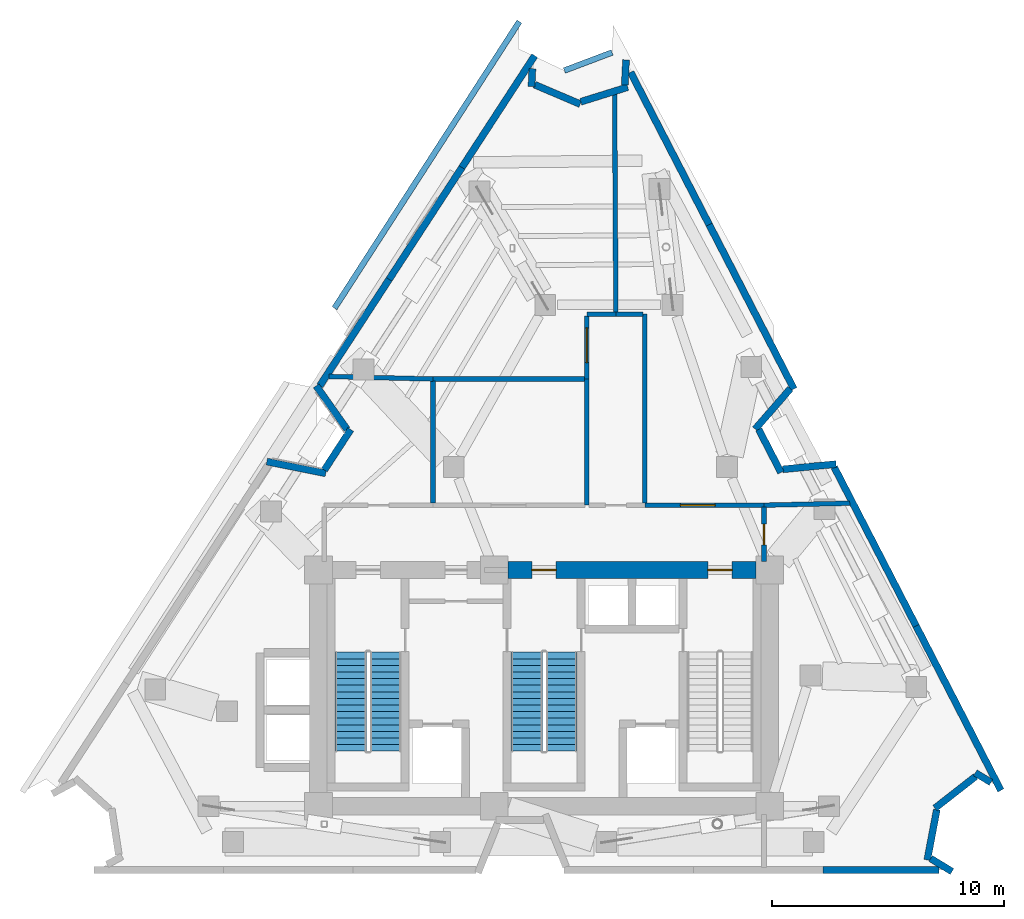
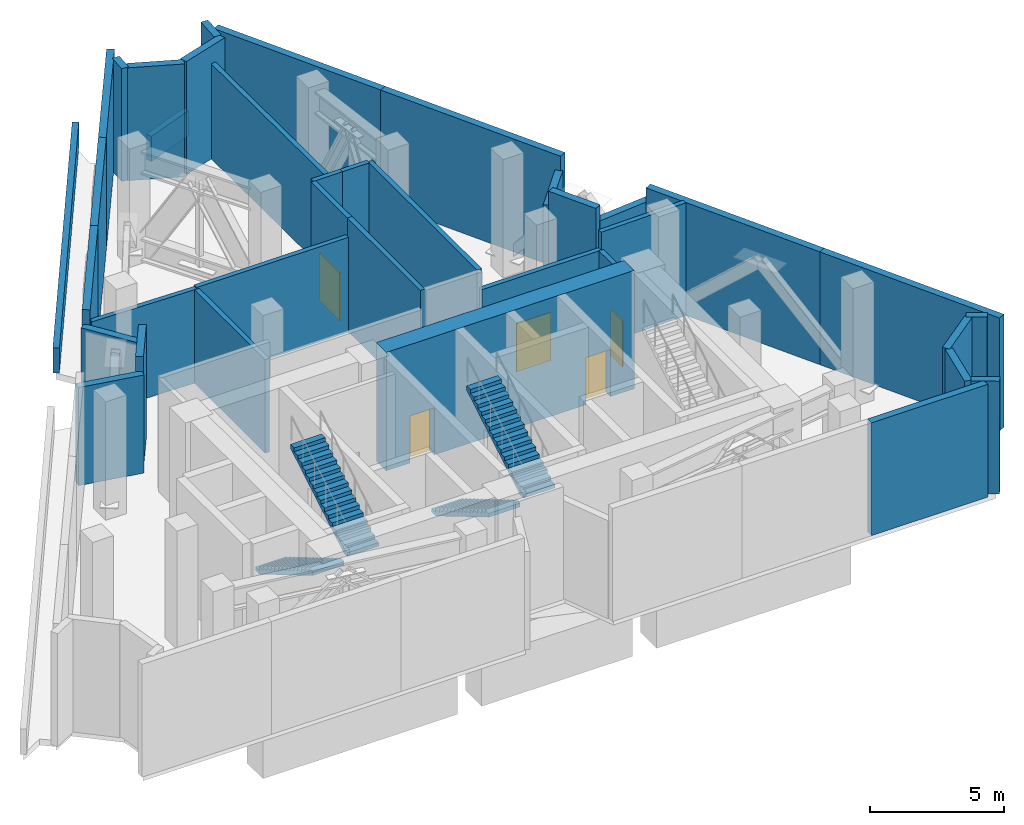
# One storey, part 6 of 8: 37 walls, 5 doors, 4 stair flights, 5 openings, 2 elements without a shape of their own.
"""IFC4 building model written with IfcOpenShell, lengths in metres."""

from ifc_helpers import new_model, si_unit, direction, frame, frame_2d, origin, place, context, subcontext, project, spatial, polyline, rectangle, outline, extrude, material, layer, layer_set, type_object, element, fill, aggregate, save


model = new_model("IFC4")

# Units and contexts
model_context = context("Model", 3, precision=1e-05, world=origin(), true_north=direction((0.0, 1.0)))
body_context = subcontext(model_context, "Body", "Model", "MODEL_VIEW")
ifc_project = project(units=[si_unit("LENGTHUNIT", "METRE"), si_unit("AREAUNIT", "SQUARE_METRE"), si_unit("VOLUMEUNIT", "CUBIC_METRE"), si_unit("PLANEANGLEUNIT", "RADIAN"), si_unit("MASSUNIT", "GRAM", prefix="KILO")], contexts=[model_context])

# Site, building, storey
site_placement = place(None, origin())
site = spatial("IfcSite", under=ifc_project, at=site_placement, CompositionType="ELEMENT")
building_placement = place(site_placement, origin())
building = spatial("IfcBuilding", under=site, at=building_placement, Name="Almagre Mirador Tower", CompositionType="ELEMENT")
storey_placement = place(building_placement, frame((0.0, 0.0, 201.60009765625)))
storey = spatial("IfcBuildingStorey", under=building, at=storey_placement, Name="L52", CompositionType="ELEMENT", Elevation=201.60009765625)

# Walls
ifc_material_1 = material(Name="Precast concrete C50/60", Category="concrete")
ifc_layer_1 = layer(ifc_material_1, 0.300048828125)
ifc_layer_set_1 = layer_set([ifc_layer_1], Name="Precast concrete C50/60")
wall_type_1 = type_object("IfcWallType", Name="WAL-EXT-300", PredefinedType="SOLIDWALL", material=ifc_layer_set_1)
wall_1_placement = place(storey_placement, frame((25.32568359375, 19.435546875, 0.0), z_axis=(0.0, 0.0, 1.0), x_axis=(0.98031922936, -0.197418865732, 0.0)))
element("IfcWall", 1, at=wall_1_placement, inside=storey, type_object=wall_type_1, Name="L52 expressed almagre precast frame wall 01", PredefinedType="SOLIDWALL", context=body_context, shape_type="SweptSolid", body=[
    extrude(rectangle(XDim=2.594482421875, YDim=0.300048828125, at=frame_2d((1.29736328125, 0.0))), origin(), (0.0, 0.0, 1.0), 4.474853515625),
])
wall_2_placement = place(storey_placement, frame((27.808349609375, 19.068359375, 0.0), z_axis=(0.0, 0.0, 1.0), x_axis=(0.545448072155, 0.838144617941, 0.0)))
element("IfcWall", 2, at=wall_2_placement, inside=storey, type_object=wall_type_1, Name="L52 expressed almagre precast frame wall 02", PredefinedType="SOLIDWALL", context=body_context, shape_type="SweptSolid", body=[
    extrude(rectangle(XDim=2.09033203125, YDim=0.300048828125, at=frame_2d((1.045166015625, 0.0))), origin(), (0.0, 0.0, 1.0), 5.14990234375),
])
wall_3_placement = place(storey_placement, frame((28.791259765625, 20.8173828125, 0.0), z_axis=(0.0, 0.0, 1.0), x_axis=(-0.577147231884, 0.816640112123, 0.0)))
element("IfcWall", 3, at=wall_3_placement, inside=storey, type_object=wall_type_1, Name="L52 expressed almagre precast frame wall 03", PredefinedType="SOLIDWALL", context=body_context, shape_type="SweptSolid", body=[
    extrude(rectangle(XDim=2.31298828125, YDim=0.300048828125, at=frame_2d((1.156494140625, 0.0))), origin(), (0.0, 0.0, 1.0), 4.474853515625),
])
wall_4_placement = place(storey_placement, frame((27.610595703125, 22.705078125, 0.0), z_axis=(0.0, 0.0, 1.0), x_axis=(0.545593263522, 0.838050112344, 0.0)))
element("IfcWall", 4, at=wall_4_placement, inside=storey, type_object=wall_type_1, Name="L52 expressed almagre precast frame wall 04", PredefinedType="SOLIDWALL", context=body_context, shape_type="SweptSolid", body=[
    extrude(rectangle(XDim=5.48876953125, YDim=0.300048828125, at=frame_2d((2.744384765625, 0.0))), origin(), (0.0, 0.0, 1.0), 5.14990234375),
])
wall_5_placement = place(storey_placement, frame((30.605224609375, 27.304931640625, 0.0), z_axis=(0.0, 0.0, 1.0), x_axis=(0.545595688913, 0.838048533343, 0.0)))
element("IfcWall", 5, at=wall_5_placement, inside=storey, type_object=wall_type_1, Name="L52 expressed almagre precast frame wall 05", PredefinedType="SOLIDWALL", context=body_context, shape_type="SweptSolid", body=[
    extrude(rectangle(XDim=5.763427734375, YDim=0.300048828125, at=frame_2d((2.8818359375, 0.0))), origin(), (0.0, 0.0, 1.0), 5.14990234375),
])
wall_6_placement = place(storey_placement, frame((33.749755859375, 32.135009765625, 0.0), z_axis=(0.0, 0.0, 1.0), x_axis=(0.545576320992, 0.838061142145, 0.0)))
element("IfcWall", 6, at=wall_6_placement, inside=storey, type_object=wall_type_1, Name="L52 expressed almagre precast frame wall 06", PredefinedType="SOLIDWALL", context=body_context, shape_type="SweptSolid", body=[
    extrude(rectangle(XDim=5.763671875, YDim=0.300048828125, at=frame_2d((2.8818359375, 0.0))), origin(), (0.0, 0.0, 1.0), 5.14990234375),
])
wall_7_placement = place(storey_placement, frame((36.79541015625, 36.403564453125, 0.0), z_axis=(0.0, 0.0, 1.0), x_axis=(-0.051005402626, -0.998698377341, 0.0)))
element("IfcWall", 7, at=wall_7_placement, inside=storey, type_object=wall_type_1, Name="L52 expressed almagre precast frame wall 07", PredefinedType="SOLIDWALL", context=body_context, shape_type="SweptSolid", body=[
    extrude(rectangle(XDim=0.775390625, YDim=0.300048828125, at=frame_2d((0.3876953125, 0.0))), origin(), (0.0, 0.0, 1.0), 5.14990234375),
])
wall_8_placement = place(storey_placement, frame((36.88720703125, 35.7158203125, 0.0), z_axis=(0.0, 0.0, 1.0), x_axis=(0.919567916171, -0.392931097711, 0.0)))
element("IfcWall", 8, at=wall_8_placement, inside=storey, type_object=wall_type_1, Name="L52 expressed almagre precast frame wall 08", PredefinedType="SOLIDWALL", context=body_context, shape_type="SweptSolid", body=[
    extrude(rectangle(XDim=2.147216796875, YDim=0.300048828125, at=frame_2d((1.07373046875, 0.0))), origin(), (0.0, 0.0, 1.0), 5.14990234375),
])
wall_9_placement = place(storey_placement, frame((38.8857421875, 34.974609375, 0.0), z_axis=(0.0, 0.0, 1.0), x_axis=(0.954524975295, 0.298130963736, 0.0)))
element("IfcWall", 9, at=wall_9_placement, inside=storey, type_object=wall_type_1, Name="L52 expressed almagre precast frame wall 09", PredefinedType="SOLIDWALL", context=body_context, shape_type="SweptSolid", body=[
    extrude(rectangle(XDim=2.12353515625, YDim=0.300048828125, at=frame_2d((1.061767578125, 0.0))), origin(), (0.0, 0.0, 1.0), 5.14990234375),
])
wall_10_placement = place(storey_placement, frame((40.78564453125, 35.700927734375, 0.0), z_axis=(0.0, 0.0, 1.0), x_axis=(0.05016199642, 0.998741094636, 0.0)))
element("IfcWall", 10, at=wall_10_placement, inside=storey, type_object=wall_type_1, Name="L52 expressed almagre precast frame wall 10", PredefinedType="SOLIDWALL", context=body_context, shape_type="SweptSolid", body=[
    extrude(rectangle(XDim=1.08544921875, YDim=0.300048828125, at=frame_2d((0.542724609375, 0.0))), origin(), (0.0, 0.0, 1.0), 5.14990234375),
])
wall_11_placement = place(storey_placement, frame((41.036865234375, 36.24951171875, 0.0), z_axis=(0.0, 0.0, 1.0), x_axis=(0.458281808999, -0.888806943909, 0.0)))
element("IfcWall", 11, at=wall_11_placement, inside=storey, type_object=wall_type_1, Name="L52 expressed almagre precast frame wall 11", PredefinedType="SOLIDWALL", context=body_context, shape_type="SweptSolid", body=[
    extrude(rectangle(XDim=7.406005859375, YDim=0.300048828125, at=frame_2d((3.703125, 0.0))), origin(), (0.0, 0.0, 1.0), 5.14990234375),
])
wall_12_placement = place(storey_placement, frame((44.430908203125, 29.6669921875, 0.0), z_axis=(0.0, 0.0, 1.0), x_axis=(0.45831213698, -0.888791305705, 0.0)))
element("IfcWall", 12, at=wall_12_placement, inside=storey, type_object=wall_type_1, Name="L52 expressed almagre precast frame wall 12", PredefinedType="SOLIDWALL", context=body_context, shape_type="SweptSolid", body=[
    extrude(rectangle(XDim=7.990966796875, YDim=0.300048828125, at=frame_2d((3.99560546875, 0.0))), origin(), (0.0, 0.0, 1.0), 5.14990234375),
])
wall_13_placement = place(storey_placement, frame((47.93701171875, 22.58349609375, 0.0), z_axis=(0.0, 0.0, 1.0), x_axis=(-0.656291017246, -0.754507853294, 0.0)))
element("IfcWall", 13, at=wall_13_placement, inside=storey, type_object=wall_type_1, Name="L52 expressed almagre precast frame wall 13", PredefinedType="SOLIDWALL", context=body_context, shape_type="SweptSolid", body=[
    extrude(rectangle(XDim=2.314208984375, YDim=0.300048828125, at=frame_2d((1.1572265625, 0.0))), origin(), (0.0, 0.0, 1.0), 4.474853515625),
])
wall_14_placement = place(storey_placement, frame((46.572021484375, 20.822998046875, 0.0), z_axis=(0.0, 0.0, 1.0), x_axis=(0.458461784515, -0.888714122842, 0.0)))
element("IfcWall", 14, at=wall_14_placement, inside=storey, type_object=wall_type_1, Name="L52 expressed almagre precast frame wall 14", PredefinedType="SOLIDWALL", context=body_context, shape_type="SweptSolid", body=[
    extrude(rectangle(XDim=2.094482421875, YDim=0.300048828125, at=frame_2d((1.04736328125, 0.0))), origin(), (0.0, 0.0, 1.0), 5.14990234375),
])
wall_15_placement = place(storey_placement, frame((47.607421875, 19.099609375, 0.0), z_axis=(0.0, 0.0, 1.0), x_axis=(0.995257209417, 0.097278399988, 0.0)))
element("IfcWall", 15, at=wall_15_placement, inside=storey, type_object=wall_type_1, Name="L52 expressed almagre precast frame wall 15", PredefinedType="SOLIDWALL", context=body_context, shape_type="SweptSolid", body=[
    extrude(rectangle(XDim=2.31396484375, YDim=0.300048828125, at=frame_2d((1.156982421875, 0.0))), origin(), (0.0, 0.0, 1.0), 4.474853515625),
])
wall_16_placement = place(storey_placement, frame((49.832763671875, 19.19091796875, 0.0), z_axis=(0.0, 0.0, 1.0), x_axis=(0.458291476536, -0.88880195912, 0.0)))
element("IfcWall", 16, at=wall_16_placement, inside=storey, type_object=wall_type_1, Name="L52 expressed almagre precast frame wall 16", PredefinedType="SOLIDWALL", context=body_context, shape_type="SweptSolid", body=[
    extrude(rectangle(XDim=7.7158203125, YDim=0.300048828125, at=frame_2d((3.85791015625, 0.0))), origin(), (0.0, 0.0, 1.0), 5.14990234375),
])
wall_17_placement = place(storey_placement, frame((53.368896484375, 12.3330078125, 0.0), z_axis=(0.0, 0.0, 1.0), x_axis=(0.45831213698, -0.888791305705, 0.0)))
element("IfcWall", 17, at=wall_17_placement, inside=storey, type_object=wall_type_1, Name="L52 expressed almagre precast frame wall 17", PredefinedType="SOLIDWALL", context=body_context, shape_type="SweptSolid", body=[
    extrude(rectangle(XDim=7.990966796875, YDim=0.300048828125, at=frame_2d((3.99560546875, 0.0))), origin(), (0.0, 0.0, 1.0), 5.14990234375),
])
wall_18_placement = place(storey_placement, frame((56.60400390625, 5.576171875, 0.0), z_axis=(0.0, 0.0, 1.0), x_axis=(-0.853729558339, 0.520716661168, 0.0)))
element("IfcWall", 18, at=wall_18_placement, inside=storey, type_object=wall_type_1, Name="L52 expressed almagre precast frame wall 18", PredefinedType="SOLIDWALL", context=body_context, shape_type="SweptSolid", body=[
    extrude(rectangle(XDim=0.794677734375, YDim=0.300048828125, at=frame_2d((0.3974609375, 0.0))), origin(), (0.0, 0.0, 1.0), 5.14990234375),
])
wall_19_placement = place(storey_placement, frame((55.934814453125, 5.830810546875, 0.0), z_axis=(0.0, 0.0, 1.0), x_axis=(-0.788358616074, -0.61521597221, 0.0)))
element("IfcWall", 19, at=wall_19_placement, inside=storey, type_object=wall_type_1, Name="L52 expressed almagre precast frame wall 19", PredefinedType="SOLIDWALL", context=body_context, shape_type="SweptSolid", body=[
    extrude(rectangle(XDim=2.22509765625, YDim=0.300048828125, at=frame_2d((1.112548828125, 0.0))), origin(), (0.0, 0.0, 1.0), 5.14990234375),
])
wall_20_placement = place(storey_placement, frame((54.26318359375, 4.400634765625, 0.0), z_axis=(0.0, 0.0, 1.0), x_axis=(-0.185632792315, -0.982619186876, 0.0)))
element("IfcWall", 20, at=wall_20_placement, inside=storey, type_object=wall_type_1, Name="L52 expressed almagre precast frame wall 20", PredefinedType="SOLIDWALL", context=body_context, shape_type="SweptSolid", body=[
    extrude(rectangle(XDim=2.21484375, YDim=0.300048828125, at=frame_2d((1.107421875, 0.0))), origin(), (0.0, 0.0, 1.0), 5.14990234375),
])
wall_21_placement = place(storey_placement, frame((53.99755859375, 2.2890625, 0.0), z_axis=(0.0, 0.0, 1.0), x_axis=(0.853840299064, -0.520535055203, 0.0)))
element("IfcWall", 21, at=wall_21_placement, inside=storey, type_object=wall_type_1, Name="L52 expressed almagre precast frame wall 21", PredefinedType="SOLIDWALL", context=body_context, shape_type="SweptSolid", body=[
    extrude(rectangle(XDim=1.07958984375, YDim=0.300048828125, at=frame_2d((0.539794921875, 0.0))), origin(), (0.0, 0.0, 1.0), 5.14990234375),
])
wall_22_placement = place(storey_placement, frame((54.360107421875, 1.800048828125, 0.0), z_axis=(0.0, 0.0, 1.0), x_axis=(-1.0, 0.0, 0.0)))
element("IfcWall", 22, at=wall_22_placement, inside=storey, type_object=wall_type_1, Name="L52 expressed almagre precast frame wall 22", PredefinedType="SOLIDWALL", context=body_context, shape_type="SweptSolid", body=[
    extrude(rectangle(XDim=5.013427734375, YDim=0.300048828125, at=frame_2d((2.5068359375, 0.0))), origin(), (0.0, 0.0, 1.0), 5.14990234375),
])
ifc_material_2 = material(Name="Precast concrete C50/60", Category="concrete")
ifc_layer_2 = layer(ifc_material_2, 0.25)
ifc_layer_set_2 = layer_set([ifc_layer_2], Name="Precast concrete C50/60")
wall_type_2 = type_object("IfcWallType", Name="WAL-PAR-250", PredefinedType="PARAPET", material=ifc_layer_set_2)
wall_23_placement = place(storey_placement, frame((38.176025390625, 36.324951171875, 0.0), z_axis=(0.0, 0.0, 1.0), x_axis=(0.93551682073, 0.353282150882, 0.0)))
element("IfcWall", 23, at=wall_23_placement, inside=storey, type_object=wall_type_2, Name="L52 terrace precast parapet 1.3", PredefinedType="PARAPET", context=body_context, shape_type="SweptSolid", body=[
    extrude(rectangle(XDim=2.205078125, YDim=0.25, at=frame_2d((1.1025390625, 0.0))), origin(), (0.0, 0.0, 1.0), 1.14990234375),
])
wall_24_placement = place(storey_placement, frame((28.2470703125, 26.05908203125, 0.0), z_axis=(0.0, 0.0, 1.0), x_axis=(0.542023436135, 0.840363370621, 0.0)))
element("IfcWall", 24, at=wall_24_placement, inside=storey, type_object=wall_type_2, Name="L52 terrace precast parapet 1.68", PredefinedType="PARAPET", context=body_context, shape_type="SweptSolid", body=[
    extrude(rectangle(XDim=14.731689453125, YDim=0.25, at=frame_2d((7.36572265625, 0.0))), origin(), (0.0, 0.0, 1.0), 1.14990234375),
])
ifc_material_3 = material(Name="Gypsum acoustic stud partition", Category="other")
ifc_layer_3 = layer(ifc_material_3, 0.199951171875)
ifc_layer_set_3 = layer_set([ifc_layer_3], Name="Gypsum acoustic stud partition")
wall_type_3 = type_object("IfcWallType", Name="WAL-PRT-200-EI60", PredefinedType="PARTITIONING", material=ifc_layer_set_3)
wall_25_placement = place(storey_placement, frame((39.14990234375, 23.0, 0.0), z_axis=(0.0, 0.0, 1.0), x_axis=(0.0, -1.0, 0.0)))
element("IfcWall", 25, at=wall_25_placement, inside=storey, type_object=wall_type_3, Name="L52 interior partition 001", PredefinedType="PARTITIONING", context=body_context, shape_type="SweptSolid", body=[
    extrude(rectangle(XDim=5.449951171875, YDim=0.199951171875, at=frame_2d((2.72509765625, 0.0))), origin(), (0.0, 0.0, 1.0), 5.14990234375),
])
wall_26_placement = place(storey_placement, frame((41.64990234375, 17.635009765625, 0.0), z_axis=(0.0, 0.0, 1.0), x_axis=(0.0, 1.0, 0.0)))
element("IfcWall", 26, at=wall_26_placement, inside=storey, type_object=wall_type_3, Name="L52 interior partition 003", PredefinedType="PARTITIONING", context=body_context, shape_type="SweptSolid", body=[
    extrude(rectangle(XDim=8.1650390625, YDim=0.199951171875, at=frame_2d((4.08251953125, 0.0))), origin(), (0.0, 0.0, 1.0), 5.14990234375),
])
wall_27_placement = place(storey_placement, frame((41.56494140625, 25.800048828125, 0.0), z_axis=(0.0, 0.0, 1.0), x_axis=(-1.0, 0.0, 0.0)))
element("IfcWall", 27, at=wall_27_placement, inside=storey, type_object=wall_type_3, Name="L52 interior partition 004", PredefinedType="PARTITIONING", context=body_context, shape_type="SweptSolid", body=[
    extrude(rectangle(XDim=1.1650390625, YDim=0.199951171875, at=frame_2d((0.58251953125, 0.0))), origin(), (0.0, 0.0, 1.0), 5.14990234375),
])
wall_28_placement = place(storey_placement, frame((40.39990234375, 25.800048828125, 0.0), z_axis=(0.0, 0.0, 1.0), x_axis=(-1.0, 0.0, 0.0)))
element("IfcWall", 28, at=wall_28_placement, inside=storey, type_object=wall_type_3, Name="L52 interior partition 005", PredefinedType="PARTITIONING", context=body_context, shape_type="SweptSolid", body=[
    extrude(rectangle(XDim=1.25, YDim=0.199951171875, at=frame_2d((0.625, 0.0))), origin(), (0.0, 0.0, 1.0), 5.14990234375),
])

# Wall, opening, door
wall_29_placement = place(storey_placement, frame((39.14990234375, 25.715087890625, 0.0), z_axis=(0.0, 0.0, 1.0), x_axis=(0.0, -1.0, 0.0)))
wall_29 = element("IfcWall", 29, at=wall_29_placement, inside=storey, type_object=wall_type_3, Name="L52 interior partition 006", PredefinedType="PARTITIONING", context=body_context, shape_type="SweptSolid", body=[
    extrude(rectangle(XDim=2.715087890625, YDim=0.199951171875, at=frame_2d((1.357421875, 0.0))), origin(), (0.0, 0.0, 1.0), 5.14990234375),
])
opening_1_placement = place(wall_29_placement, frame((0.50830078125, 0.0, 0.0)))
opening_1 = element("IfcOpeningElement", 30, at=opening_1_placement, cuts=wall_29, Name="Opening ID-04", PredefinedType="OPENING", context=body_context, shape_type="SweptSolid", body=[
    extrude(rectangle(XDim=1.5, YDim=2.199951171875, at=frame_2d((0.75, 1.10009765625))), frame((0.0, 0.110098, 0.0), z_axis=(0.0, -1.0, 0.0), x_axis=(1.0, 0.0, 0.0)), (0.0, 0.0, 1.0), 0.219951),
])
ifc_material_4 = material(Name="Fire-rated hollow steel", Category="steel")
door_type_1 = type_object("IfcDoorType", Name="DOR-FD60-1500X2200", OperationType="DOUBLE_DOOR_SINGLE_SWING", PredefinedType="DOOR", material=ifc_material_4)
door_1_placement = place(opening_1_placement, origin())
door_1 = element("IfcDoor", 31, at=door_1_placement, inside=storey, type_object=door_type_1, Name="DR-1634 L52 interior door L52-PLT-1 to L52-PLT-4", OperationType="DOUBLE_DOOR_SINGLE_SWING", OverallHeight=2.199951171875, OverallWidth=1.5, PredefinedType="DOOR", context=body_context, shape_type="SweptSolid", body=[
    extrude(rectangle(XDim=1.5, YDim=2.199951171875, at=frame_2d((0.75, 1.10009765625))), frame((0.0, 0.02490234375, 0.0), z_axis=(0.0, -1.0, 0.0), x_axis=(1.0, 0.0, 0.0)), (0.0, 0.0, 1.0), 0.050048828125),
])
fill(opening_1, door_1)

# Walls
wall_30_placement = place(storey_placement, frame((39.06494140625, 23.0, 0.0), z_axis=(0.0, 0.0, 1.0), x_axis=(-1.0, 0.0, 0.0)))
element("IfcWall", 32, at=wall_30_placement, inside=storey, type_object=wall_type_3, Name="L52 interior partition 008", PredefinedType="PARTITIONING", context=body_context, shape_type="SweptSolid", body=[
    extrude(rectangle(XDim=6.56494140625, YDim=0.199951171875, at=frame_2d((3.282470703125, 0.0))), origin(), (0.0, 0.0, 1.0), 4.3349609375),
])
wall_31_placement = place(storey_placement, frame((32.5, 22.9150390625, 0.0), z_axis=(0.0, 0.0, 1.0), x_axis=(0.0, -1.0, 0.0)))
element("IfcWall", 33, at=wall_31_placement, inside=storey, type_object=wall_type_3, Name="L52 interior partition 009", PredefinedType="PARTITIONING", context=body_context, shape_type="SweptSolid", body=[
    extrude(rectangle(XDim=5.280029296875, YDim=0.199951171875, at=frame_2d((2.64013671875, 0.0))), origin(), (0.0, 0.0, 1.0), 4.263916015625),
])

# Wall, opening, door
wall_32_placement = place(storey_placement, frame((46.800048828125, 17.550048828125, 0.0), z_axis=(0.0, 0.0, 1.0), x_axis=(-1.0, 0.0, 0.0)))
wall_32 = element("IfcWall", 34, at=wall_32_placement, inside=storey, type_object=wall_type_3, Name="L52 interior partition 010", PredefinedType="PARTITIONING", context=body_context, shape_type="SweptSolid", body=[
    extrude(rectangle(XDim=5.150146484375, YDim=0.199951171875, at=frame_2d((2.5751953125, 0.0))), origin(), (0.0, 0.0, 1.0), 4.3349609375),
])
opening_2_placement = place(wall_32_placement, frame((2.115478515625, 0.0, 0.0)))
opening_2 = element("IfcOpeningElement", 35, at=opening_2_placement, cuts=wall_32, Name="Opening ID-04", PredefinedType="OPENING", context=body_context, shape_type="SweptSolid", body=[
    extrude(rectangle(XDim=1.5, YDim=2.199951171875, at=frame_2d((0.75, 1.10009765625))), frame((0.0, 0.110098, 0.0), z_axis=(0.0, -1.0, 0.0), x_axis=(1.0, 0.0, 0.0)), (0.0, 0.0, 1.0), 0.219951),
])
door_2_placement = place(opening_2_placement, origin())
door_2 = element("IfcDoor", 36, at=door_2_placement, inside=storey, type_object=door_type_1, Name="DR-1631 L52 interior door L52-PCOR to L52-PLT-3", OperationType="DOUBLE_DOOR_SINGLE_SWING", OverallHeight=2.199951171875, OverallWidth=1.5, PredefinedType="DOOR", context=body_context, shape_type="SweptSolid", body=[
    extrude(rectangle(XDim=1.5, YDim=2.199951171875, at=frame_2d((0.75, 1.10009765625))), frame((0.0, 0.02490234375, 0.0), z_axis=(0.0, -1.0, 0.0), x_axis=(1.0, 0.0, 0.0)), (0.0, 0.0, 1.0), 0.050048828125),
])
fill(opening_2, door_2)

wall_33_placement = place(storey_placement, frame((46.800048828125, 15.125, 0.0), z_axis=(0.0, 0.0, 1.0), x_axis=(0.0, 1.0, 0.0)))
wall_33 = element("IfcWall", 37, at=wall_33_placement, inside=storey, type_object=wall_type_3, Name="L52 interior partition 011", PredefinedType="PARTITIONING", context=body_context, shape_type="SweptSolid", body=[
    extrude(rectangle(XDim=2.340087890625, YDim=0.199951171875, at=frame_2d((1.169921875, 0.0))), origin(), (0.0, 0.0, 1.0), 4.3349609375),
])
opening_3_placement = place(wall_33_placement, frame((0.705810546875, 0.0, 0.0)))
opening_3 = element("IfcOpeningElement", 38, at=opening_3_placement, cuts=wall_33, Name="Opening ID-03", PredefinedType="OPENING", context=body_context, shape_type="SweptSolid", body=[
    extrude(rectangle(XDim=0.89990234375, YDim=2.10009765625, at=frame_2d((0.449951171875, 1.050048828125))), frame((0.0, 0.110098, 0.0), z_axis=(0.0, -1.0, 0.0), x_axis=(1.0, 0.0, 0.0)), (0.0, 0.0, 1.0), 0.219951),
])
ifc_material_5 = material(Name="Fire-rated hollow steel", Category="steel")
door_type_2 = type_object("IfcDoorType", Name="DOR-FD60-900X2100", OperationType="NOTDEFINED", PredefinedType="DOOR", material=ifc_material_5)
door_3_placement = place(opening_3_placement, origin())
door_3 = element("IfcDoor", 39, at=door_3_placement, inside=storey, type_object=door_type_2, Name="DR-1632 L52 interior door L52-PCOR to L52-REF-E", OperationType="SINGLE_SWING_LEFT", OverallHeight=2.10009765625, OverallWidth=0.89990234375, PredefinedType="DOOR", context=body_context, shape_type="SweptSolid", body=[
    extrude(rectangle(XDim=0.89990234375, YDim=2.10009765625, at=frame_2d((0.449951171875, 1.050048828125))), frame((0.0, 0.02490234375, 0.0), z_axis=(0.0, -1.0, 0.0), x_axis=(1.0, 0.0, 0.0)), (0.0, 0.0, 1.0), 0.050048828125),
])
fill(opening_3, door_3)

# Walls
wall_34_placement = place(storey_placement, frame((40.345947265625, 35.33203125, 0.0), z_axis=(0.0, 0.0, 1.0), x_axis=(0.005685397192, -0.999983837999, 0.0)))
element("IfcWall", 40, at=wall_34_placement, inside=storey, type_object=wall_type_3, Name="L52 interior partition 014", PredefinedType="PARTITIONING", context=body_context, shape_type="SweptSolid", body=[
    extrude(rectangle(XDim=9.447265625, YDim=0.199951171875, at=frame_2d((4.7236328125, 0.0))), origin(), (0.0, 0.0, 1.0), 4.3349609375),
])
wall_35_placement = place(storey_placement, frame((46.800048828125, 17.550048828125, 0.0), z_axis=(0.0, 0.0, 1.0), x_axis=(0.99974288939, 0.022674988722, 0.0)))
element("IfcWall", 41, at=wall_35_placement, inside=storey, type_object=wall_type_3, Name="L52 interior partition 015", PredefinedType="PARTITIONING", context=body_context, shape_type="SweptSolid", body=[
    extrude(rectangle(XDim=3.703857421875, YDim=0.199951171875, at=frame_2d((1.85205078125, 0.0))), origin(), (0.0, 0.0, 1.0), 5.14990234375),
])
wall_36_placement = place(storey_placement, frame((28.014892578125, 23.110107421875, 0.0), z_axis=(0.0, 0.0, 1.0), x_axis=(0.999698795648, -0.024542167375, 0.0)))
element("IfcWall", 42, at=wall_36_placement, inside=storey, type_object=wall_type_3, Name="L52 interior partition 016", PredefinedType="PARTITIONING", context=body_context, shape_type="SweptSolid", body=[
    extrude(rectangle(XDim=4.486572265625, YDim=0.199951171875, at=frame_2d((2.2431640625, 0.0))), origin(), (0.0, 0.0, 1.0), 4.263916015625),
])

# Wall, openings, doors
ifc_material_6 = material(Name="Concrete C60/75", Category="concrete")
ifc_layer_4 = layer(ifc_material_6, 0.75)
ifc_layer_set_4 = layer_set([ifc_layer_4], Name="Concrete C60/75")
wall_type_4 = type_object("IfcWallType", Name="WAL-SHR-750", PredefinedType="SHEAR", material=ifc_layer_set_4)
wall_37_placement = place(storey_placement, frame((35.75, 14.75, 0.0), z_axis=(0.0, 0.0, 1.0), x_axis=(1.0, 0.0, 0.0)))
wall_37 = element("IfcWall", 43, at=wall_37_placement, inside=storey, type_object=wall_type_4, Name="L52 core shear wall N2", PredefinedType="SHEAR", context=body_context, shape_type="SweptSolid", body=[
    extrude(rectangle(XDim=10.699951171875, YDim=0.75, at=frame_2d((5.35009765625, 0.0))), origin(), (0.0, 0.0, 1.0), 5.39990234375),
])
opening_4_placement = place(wall_37_placement, frame((1.02490234375, 0.0, 0.0)))
opening_4 = element("IfcOpeningElement", 44, at=opening_4_placement, cuts=wall_37, Name="Opening SD-01", PredefinedType="OPENING", context=body_context, shape_type="SweptSolid", body=[
    extrude(rectangle(XDim=1.050048828125, YDim=2.14990234375, at=frame_2d((0.52490234375, 1.074951171875))), frame((0.0, 0.385, 0.0), z_axis=(0.0, -1.0, 0.0), x_axis=(1.0, 0.0, 0.0)), (0.0, 0.0, 1.0), 0.77),
])
opening_5_placement = place(wall_37_placement, frame((8.625, 0.0, 0.0)))
opening_5 = element("IfcOpeningElement", 45, at=opening_5_placement, cuts=wall_37, Name="Opening SD-01", PredefinedType="OPENING", context=body_context, shape_type="SweptSolid", body=[
    extrude(rectangle(XDim=1.050048828125, YDim=2.14990234375, at=frame_2d((0.52490234375, 1.074951171875))), frame((0.0, 0.385, 0.0), z_axis=(0.0, -1.0, 0.0), x_axis=(1.0, 0.0, 0.0)), (0.0, 0.0, 1.0), 0.77),
])
ifc_material_7 = material(Name="Fire-rated hollow steel", Category="steel")
door_type_3 = type_object("IfcDoorType", Name="DOR-ST-1050X2150", OperationType="NOTDEFINED", PredefinedType="DOOR", material=ifc_material_7)
door_4_placement = place(opening_4_placement, origin())
door_4 = element("IfcDoor", 46, at=door_4_placement, inside=storey, type_object=door_type_3, Name="DR-1638 L52 protected exit stair ST-2 door", OperationType="SINGLE_SWING_RIGHT", OverallHeight=2.14990234375, OverallWidth=1.050048828125, PredefinedType="DOOR", context=body_context, shape_type="SweptSolid", body=[
    extrude(rectangle(XDim=1.050048828125, YDim=2.14990234375, at=frame_2d((0.52490234375, 1.074951171875))), frame((0.0, 0.02490234375, 0.0), z_axis=(0.0, -1.0, 0.0), x_axis=(1.0, 0.0, 0.0)), (0.0, 0.0, 1.0), 0.050048828125),
])
fill(opening_4, door_4)
door_5_placement = place(opening_5_placement, origin())
door_5 = element("IfcDoor", 47, at=door_5_placement, inside=storey, type_object=door_type_3, Name="DR-1639 L52 protected exit stair ST-3 door", OperationType="SINGLE_SWING_LEFT", OverallHeight=2.14990234375, OverallWidth=1.050048828125, PredefinedType="DOOR", context=body_context, shape_type="SweptSolid", body=[
    extrude(rectangle(XDim=1.050048828125, YDim=2.14990234375, at=frame_2d((0.52490234375, 1.074951171875))), frame((0.0, 0.02490234375, 0.0), z_axis=(0.0, -1.0, 0.0), x_axis=(1.0, 0.0, 0.0)), (0.0, 0.0, 1.0), 0.050048828125),
])
fill(opening_5, door_5)

# Stair, stair flights
ifc_material_8 = material(Name="Concrete C45/55", Category="concrete")
stair_type = type_object("IfcStairType", Name="STR-DL-5400", PredefinedType="HALF_TURN_STAIR", material=ifc_material_8)
stair_1_placement = place(storey_placement, origin())
stair_1 = element("IfcStair", 48, at=stair_1_placement, inside=storey, type_object=stair_type, Name="L52 Protected exit stair ST-1", PredefinedType="HALF_TURN_STAIR")
ifc_material_9 = material(Name="Concrete C45/55", Category="concrete")
stair_flight_type = type_object("IfcStairFlightType", Name="FLT-DL-5400", PredefinedType="STRAIGHT", material=ifc_material_9)
stair_flight_1_placement = place(storey_placement, frame((28.949951171875, 11.199951171875, 0.0), z_axis=(0.0, 0.0, 1.0), x_axis=(0.0, -1.0, 0.0)))
stair_flight_1 = element("IfcStairFlight", 49, at=stair_flight_1_placement, type_object=stair_flight_type, Name="ST-1 flight 1", NumberOfRisers=16, NumberOfTreads=15, PredefinedType="STRAIGHT", RiserHeight=0.16875, TreadLength=0.285, context=body_context, shape_type="SweptSolid", body=[
    extrude(outline(polyline([(0.0, 0.0), (0.0, 0.168701171875), (0.284912109375, 0.168701171875), (0.284912109375, 0.33740234375), (0.570068359375, 0.33740234375), (0.570068359375, 0.50634765625), (0.85498046875, 0.50634765625), (0.85498046875, 0.675048828125), (1.139892578125, 0.675048828125), (1.139892578125, 0.84375), (1.425048828125, 0.84375), (1.425048828125, 1.012451171875), (1.7099609375, 1.012451171875), (1.7099609375, 1.18115234375), (1.9951171875, 1.18115234375), (1.9951171875, 1.35009765625), (2.280029296875, 1.35009765625), (2.280029296875, 1.518798828125), (2.56494140625, 1.518798828125), (2.56494140625, 1.6875), (2.85009765625, 1.6875), (2.85009765625, 1.856201171875), (3.135009765625, 1.856201171875), (3.135009765625, 2.02490234375), (3.419921875, 2.02490234375), (3.419921875, 2.19384765625), (3.705078125, 2.19384765625), (3.705078125, 2.362548828125), (3.989990234375, 2.362548828125), (3.989990234375, 2.53125), (4.27490234375, 2.53125), (4.27490234375, 2.699951171875), (4.27490234375, 2.35693359375), (0.294189453125, 0.0), (0.0, 0.0)])), frame((0.0, 0.675048828125, 0.0), z_axis=(0.0, -1.0, 0.0), x_axis=(1.0, 0.0, 0.0)), (0.0, 0.0, 1.0), 1.35009765625),
])
stair_flight_2_placement = place(storey_placement, frame((30.449951171875, 6.925048828125, 2.699951171875), z_axis=(0.0, 0.0, 1.0), x_axis=(0.0, 1.0, 0.0)))
stair_flight_2 = element("IfcStairFlight", 50, at=stair_flight_2_placement, type_object=stair_flight_type, Name="ST-1 flight 2", NumberOfRisers=16, NumberOfTreads=15, PredefinedType="STRAIGHT", RiserHeight=0.16875, TreadLength=0.285, context=body_context, shape_type="SweptSolid", body=[
    extrude(outline(polyline([(0.0, 0.0), (0.0, 0.168701171875), (0.284912109375, 0.168701171875), (0.284912109375, 0.33740234375), (0.570068359375, 0.33740234375), (0.570068359375, 0.50634765625), (0.85498046875, 0.50634765625), (0.85498046875, 0.675048828125), (1.139892578125, 0.675048828125), (1.139892578125, 0.84375), (1.425048828125, 0.84375), (1.425048828125, 1.012451171875), (1.7099609375, 1.012451171875), (1.7099609375, 1.18115234375), (1.9951171875, 1.18115234375), (1.9951171875, 1.35009765625), (2.280029296875, 1.35009765625), (2.280029296875, 1.518798828125), (2.56494140625, 1.518798828125), (2.56494140625, 1.6875), (2.85009765625, 1.6875), (2.85009765625, 1.856201171875), (3.135009765625, 1.856201171875), (3.135009765625, 2.02490234375), (3.419921875, 2.02490234375), (3.419921875, 2.19384765625), (3.705078125, 2.19384765625), (3.705078125, 2.362548828125), (3.989990234375, 2.362548828125), (3.989990234375, 2.53125), (4.27490234375, 2.53125), (4.27490234375, 2.699951171875), (4.27490234375, 2.35693359375), (0.294189453125, 0.0), (0.0, 0.0)])), frame((0.0, 0.675048828125, 0.0), z_axis=(0.0, -1.0, 0.0), x_axis=(1.0, 0.0, 0.0)), (0.0, 0.0, 1.0), 1.35009765625),
])
aggregate(stair_1, [stair_flight_1, stair_flight_2])

stair_2_placement = place(storey_placement, origin())
stair_2 = element("IfcStair", 51, at=stair_2_placement, inside=storey, type_object=stair_type, Name="L52 Protected exit stair ST-2", PredefinedType="HALF_TURN_STAIR")
stair_flight_3_placement = place(storey_placement, frame((36.550048828125, 11.199951171875, 0.0), z_axis=(0.0, 0.0, 1.0), x_axis=(0.0, -1.0, 0.0)))
stair_flight_3 = element("IfcStairFlight", 52, at=stair_flight_3_placement, type_object=stair_flight_type, Name="ST-2 flight 1", NumberOfRisers=16, NumberOfTreads=15, PredefinedType="STRAIGHT", RiserHeight=0.16875, TreadLength=0.285, context=body_context, shape_type="SweptSolid", body=[
    extrude(outline(polyline([(0.0, 0.0), (0.0, 0.168701171875), (0.284912109375, 0.168701171875), (0.284912109375, 0.33740234375), (0.570068359375, 0.33740234375), (0.570068359375, 0.50634765625), (0.85498046875, 0.50634765625), (0.85498046875, 0.675048828125), (1.139892578125, 0.675048828125), (1.139892578125, 0.84375), (1.425048828125, 0.84375), (1.425048828125, 1.012451171875), (1.7099609375, 1.012451171875), (1.7099609375, 1.18115234375), (1.9951171875, 1.18115234375), (1.9951171875, 1.35009765625), (2.280029296875, 1.35009765625), (2.280029296875, 1.518798828125), (2.56494140625, 1.518798828125), (2.56494140625, 1.6875), (2.85009765625, 1.6875), (2.85009765625, 1.856201171875), (3.135009765625, 1.856201171875), (3.135009765625, 2.02490234375), (3.419921875, 2.02490234375), (3.419921875, 2.19384765625), (3.705078125, 2.19384765625), (3.705078125, 2.362548828125), (3.989990234375, 2.362548828125), (3.989990234375, 2.53125), (4.27490234375, 2.53125), (4.27490234375, 2.699951171875), (4.27490234375, 2.35693359375), (0.294189453125, 0.0), (0.0, 0.0)])), frame((0.0, 0.675048828125, 0.0), z_axis=(0.0, -1.0, 0.0), x_axis=(1.0, 0.0, 0.0)), (0.0, 0.0, 1.0), 1.35009765625),
])
stair_flight_4_placement = place(storey_placement, frame((38.050048828125, 6.925048828125, 2.699951171875), z_axis=(0.0, 0.0, 1.0), x_axis=(0.0, 1.0, 0.0)))
stair_flight_4 = element("IfcStairFlight", 53, at=stair_flight_4_placement, type_object=stair_flight_type, Name="ST-2 flight 2", NumberOfRisers=16, NumberOfTreads=15, PredefinedType="STRAIGHT", RiserHeight=0.16875, TreadLength=0.285, context=body_context, shape_type="SweptSolid", body=[
    extrude(outline(polyline([(0.0, 0.0), (0.0, 0.168701171875), (0.284912109375, 0.168701171875), (0.284912109375, 0.33740234375), (0.570068359375, 0.33740234375), (0.570068359375, 0.50634765625), (0.85498046875, 0.50634765625), (0.85498046875, 0.675048828125), (1.139892578125, 0.675048828125), (1.139892578125, 0.84375), (1.425048828125, 0.84375), (1.425048828125, 1.012451171875), (1.7099609375, 1.012451171875), (1.7099609375, 1.18115234375), (1.9951171875, 1.18115234375), (1.9951171875, 1.35009765625), (2.280029296875, 1.35009765625), (2.280029296875, 1.518798828125), (2.56494140625, 1.518798828125), (2.56494140625, 1.6875), (2.85009765625, 1.6875), (2.85009765625, 1.856201171875), (3.135009765625, 1.856201171875), (3.135009765625, 2.02490234375), (3.419921875, 2.02490234375), (3.419921875, 2.19384765625), (3.705078125, 2.19384765625), (3.705078125, 2.362548828125), (3.989990234375, 2.362548828125), (3.989990234375, 2.53125), (4.27490234375, 2.53125), (4.27490234375, 2.699951171875), (4.27490234375, 2.35693359375), (0.294189453125, 0.0), (0.0, 0.0)])), frame((0.0, 0.675048828125, 0.0), z_axis=(0.0, -1.0, 0.0), x_axis=(1.0, 0.0, 0.0)), (0.0, 0.0, 1.0), 1.35009765625),
])
aggregate(stair_2, [stair_flight_3, stair_flight_4])

save(model, "model.ifc")
